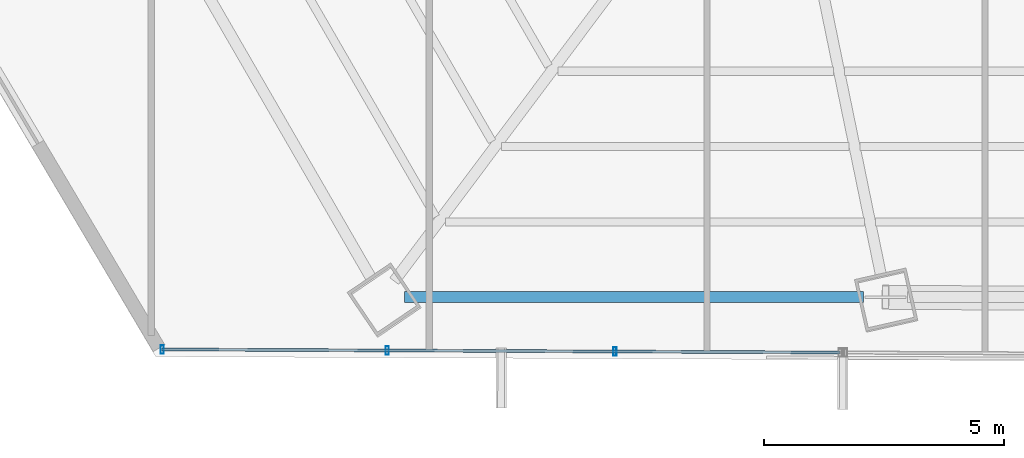
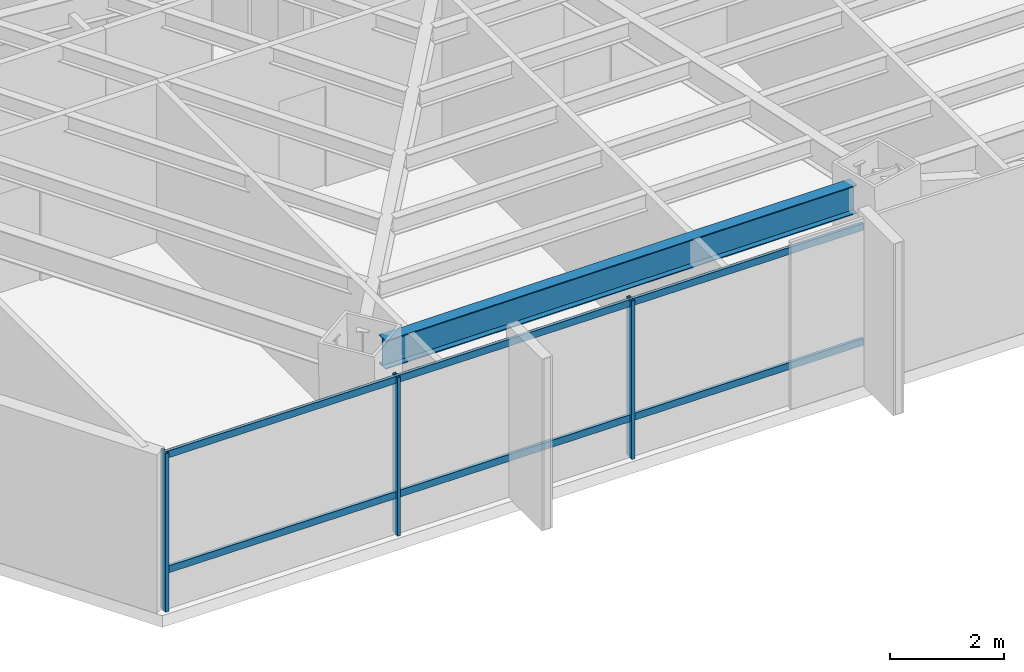
# One storey, part 4 of 37: 5 members, 1 beam, 1 element without a shape of its own.
"""IFC4 building model written with IfcOpenShell, lengths in metres."""

from ifc_helpers import new_model, si_unit, direction, frame, origin, origin_2d, place, context, subcontext, project, spatial, hollow_rectangle, i_section, extrude, source, transform, mapped, material, material_profile, profile_set, type_object, type_shapes, element, aggregate, save


model = new_model("IFC4")

# Units and contexts
model_context = context("Model", 3, precision=1e-05, world=origin(), true_north=direction((0.0, 1.0)))
body_context = subcontext(model_context, "Body", "Model", "MODEL_VIEW")
ifc_project = project(units=[si_unit("LENGTHUNIT", "METRE"), si_unit("AREAUNIT", "SQUARE_METRE"), si_unit("VOLUMEUNIT", "CUBIC_METRE"), si_unit("PLANEANGLEUNIT", "RADIAN"), si_unit("MASSUNIT", "GRAM", prefix="KILO")], contexts=[model_context])

# Site, building, storey
site_placement = place(None, origin())
site = spatial("IfcSite", under=ifc_project, at=site_placement, CompositionType="ELEMENT")
building_placement = place(site_placement, origin())
building = spatial("IfcBuilding", under=site, at=building_placement, Name="Caelisora Broadcast Tower", CompositionType="ELEMENT")
storey_placement = place(building_placement, frame((0.0, 0.0, 105.39990234375)))
storey = spatial("IfcBuildingStorey", under=building, at=storey_placement, Name="L27", CompositionType="ELEMENT", Elevation=105.39990234375)

# Beam
ifc_material_1 = material(Name="Steel Grade 350 (AS/NZS 3679.1)", Category="steel")
ifc_material_profile_1 = material_profile(ifc_material_1, i_section(OverallWidth=0.22900390625, OverallDepth=0.611572265625, WebThickness=0.011962890625, FlangeThickness=0.01953125, at=origin_2d()), Name="Steel Grade 350 (AS/NZS 3679.1)")
ifc_profile_set_1 = profile_set([ifc_material_profile_1], Name="Steel Grade 350 (AS/NZS 3679.1)")
beam_type = type_object("IfcBeamType", Name="PG03", PredefinedType="BEAM", material=ifc_profile_set_1)
shared_shape_1 = source(origin(), body_context, "Body", "SweptSolid", [
    extrude(i_section(OverallWidth=0.22900390625, OverallDepth=0.611572265625, WebThickness=0.011962890625, FlangeThickness=0.01953125, at=origin_2d()), origin(), (0.0, 0.0, 1.0), 9.566162109375),
])
type_shapes(beam_type, [shared_shape_1])
beam_placement = place(storey_placement, frame((22.730712890625, 6.413330078125, 3.09423828125), z_axis=(1.0, 0.0, 0.0), x_axis=(0.0, 1.0, 0.0)))
element("IfcBeam", 1, at=beam_placement, inside=storey, type_object=beam_type, Name="L27 beam PG03", PredefinedType="BEAM", context=body_context, shape_type="MappedRepresentation", body=[
    mapped(shared_shape_1, transform((0.0, 0.0, 0.0), scale=1.0)),
])

# Curtain wall, members
ifc_material_2 = material(Name="Unitised Aluminium and Low-E Glass Curtain Wall", Category="glass")
curtain_wall_type = type_object("IfcCurtainWallType", Name="CW-Z2", PredefinedType="NOTDEFINED", material=ifc_material_2)
curtain_wall_placement = place(storey_placement, origin())
curtain_wall = element("IfcCurtainWall", 2, at=curtain_wall_placement, inside=storey, type_object=curtain_wall_type, Name="L27 curtain wall CW-Z2", PredefinedType="NOTDEFINED")
ifc_material_3 = material(Name="Aluminium 6063-T6 Anodised Terracotta Bronze", Category="aluminium")
ifc_material_profile_2 = material_profile(ifc_material_3, hollow_rectangle(XDim=0.06494140625, YDim=0.179931640625, WallThickness=0.00341796875, at=origin_2d()), Name="Aluminium 6063-T6 Anodised Terracotta Bronze")
ifc_profile_set_2 = profile_set([ifc_material_profile_2], Name="Aluminium 6063-T6 Anodised Terracotta Bronze")
member_type_1 = type_object("IfcMemberType", Name="CWM-02", PredefinedType="MULLION", material=ifc_profile_set_2)
shared_shape_2 = source(origin(), body_context, "Body", "SweptSolid", [
    extrude(hollow_rectangle(XDim=0.06494140625, YDim=0.179931640625, WallThickness=0.00341796875, at=origin_2d()), origin(), (0.0, 0.0, 1.0), 3.400146484375),
])
type_shapes(member_type_1, [shared_shape_2])
member_1_placement = place(storey_placement, frame((27.120849609375, 5.282470703125, 0.0), z_axis=(0.0, 0.0, 1.0), x_axis=(1.0, 0.0, 0.0)))
member_1 = element("IfcMember", 3, at=member_1_placement, type_object=member_type_1, Name="L27-CW-B07 mullion #1", PredefinedType="MULLION", context=body_context, shape_type="MappedRepresentation", body=[
    mapped(shared_shape_2, transform((0.0, 0.0, 0.0), scale=1.0)),
])
member_2_placement = place(storey_placement, frame((22.37841796875, 5.30419921875, 0.0), z_axis=(0.0, 0.0, 1.0), x_axis=(1.0, 0.0, 0.0)))
member_2 = element("IfcMember", 4, at=member_2_placement, type_object=member_type_1, Name="L27-CW-B07 mullion #2", PredefinedType="MULLION", context=body_context, shape_type="MappedRepresentation", body=[
    mapped(shared_shape_2, transform((0.0, 0.0, 0.0), scale=1.0)),
])
member_3_placement = place(storey_placement, frame((17.68603515625, 5.32568359375, 0.0), z_axis=(0.0, 0.0, 1.0), x_axis=(1.0, 0.0, 0.0)))
member_3 = element("IfcMember", 5, at=member_3_placement, type_object=member_type_1, Name="L27-CW-B07 mullion #3", PredefinedType="MULLION", context=body_context, shape_type="MappedRepresentation", body=[
    mapped(shared_shape_2, transform((0.0, 0.0, 0.0), scale=1.0)),
])
ifc_material_profile_3 = material_profile(ifc_material_3, hollow_rectangle(XDim=0.06005859375, YDim=0.14990234375, WallThickness=0.00341796875, at=origin_2d()), Name="Aluminium 6063-T6 Anodised Terracotta Bronze")
ifc_profile_set_3 = profile_set([ifc_material_profile_3], Name="Aluminium 6063-T6 Anodised Terracotta Bronze")
member_type_2 = type_object("IfcMemberType", Name="CWT-02", PredefinedType="USERDEFINED", material=ifc_profile_set_3)
shared_shape_3 = source(origin(), body_context, "Body", "SweptSolid", [
    extrude(hollow_rectangle(XDim=0.06005859375, YDim=0.14990234375, WallThickness=0.00341796875, at=origin_2d()), origin(), (0.0, 0.0, 1.0), 14.12744140625),
])
type_shapes(member_type_2, [shared_shape_3])
member_4_placement = place(storey_placement, frame((31.813232421875, 5.260986328125, 0.85009765625), z_axis=(-0.999989513682, 0.004579576966, 0.0), x_axis=(-0.004579576966, -0.999989513682, 0.0)))
member_4 = element("IfcMember", 6, at=member_4_placement, type_object=member_type_2, Name="L27-CW-B07 transom #1", ObjectType="TRANSOM", PredefinedType="USERDEFINED", context=body_context, shape_type="MappedRepresentation", body=[
    mapped(shared_shape_3, transform((0.0, 0.0, 0.0), scale=1.0)),
])
member_5_placement = place(storey_placement, frame((31.813232421875, 5.260986328125, 3.320068359375), z_axis=(-0.999989513682, 0.004579576966, 0.0), x_axis=(-0.004579576966, -0.999989513682, 0.0)))
member_5 = element("IfcMember", 7, at=member_5_placement, type_object=member_type_2, Name="L27-CW-B07 transom #2", ObjectType="TRANSOM", PredefinedType="USERDEFINED", context=body_context, shape_type="MappedRepresentation", body=[
    mapped(shared_shape_3, transform((0.0, 0.0, 0.0), scale=1.0)),
])
aggregate(curtain_wall, [member_1, member_2, member_3, member_4, member_5])

save(model, "model.ifc")
